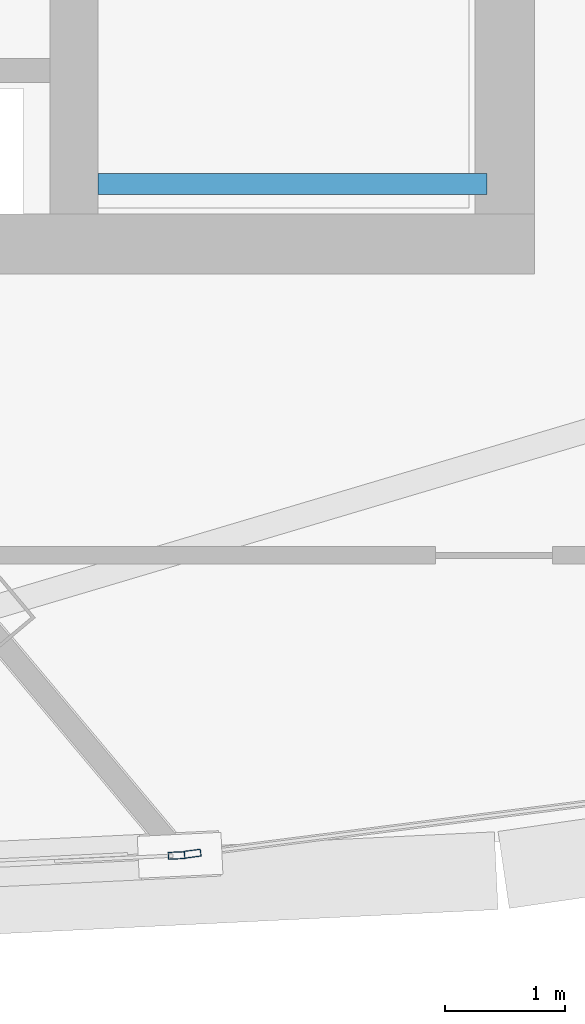
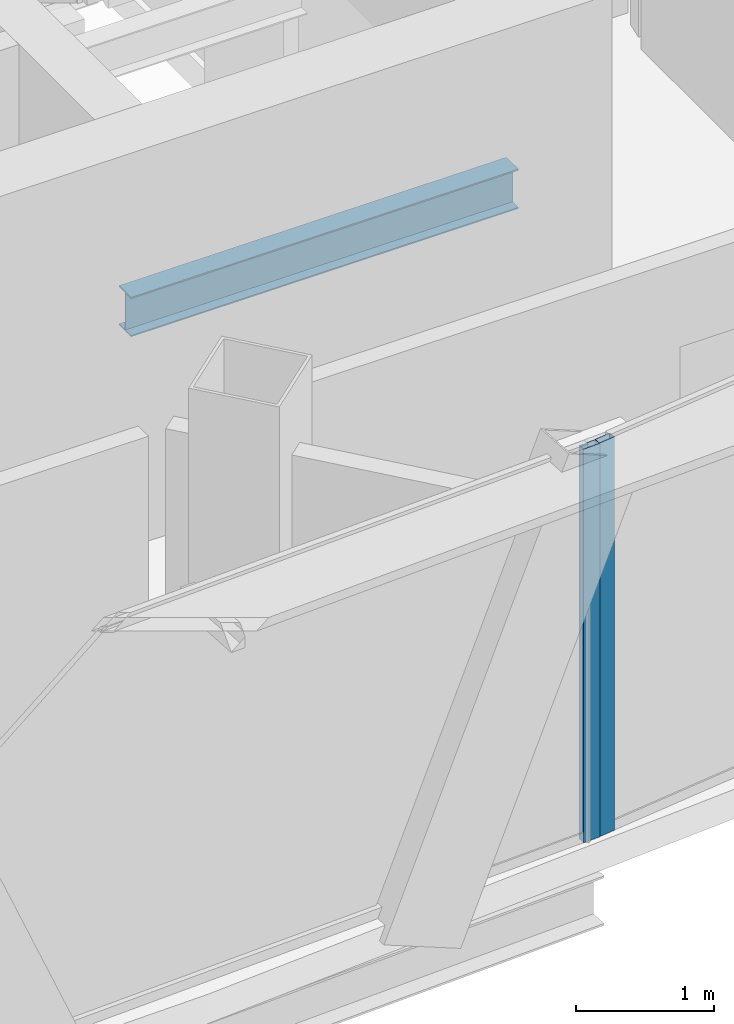
# One storey, part 11 of 30: 2 members, 1 beam, 2 elements without a shape of their own.
"""IFC4 building model written with IfcOpenShell, lengths in metres."""

from ifc_helpers import new_model, si_unit, direction, frame, origin, origin_2d, place, context, subcontext, project, spatial, hollow_rectangle, i_section, extrude, source, transform, mapped, material, layer, layer_set, material_profile, profile_set, type_object, element, aggregate, save


model = new_model("IFC4")

# Units and contexts
model_context = context("Model", 3, precision=1e-05, world=origin(), true_north=direction((0.0, 1.0)))
body_context = subcontext(model_context, "Body", "Model", "MODEL_VIEW")
ifc_project = project(units=[si_unit("LENGTHUNIT", "METRE"), si_unit("AREAUNIT", "SQUARE_METRE"), si_unit("VOLUMEUNIT", "CUBIC_METRE"), si_unit("PLANEANGLEUNIT", "RADIAN"), si_unit("MASSUNIT", "GRAM", prefix="KILO"), si_unit("THERMODYNAMICTEMPERATUREUNIT", "KELVIN"), si_unit("POWERUNIT", "WATT")], contexts=[model_context])

# Site, building, storey
site_placement = place(None, origin())
site = spatial("IfcSite", under=ifc_project, at=site_placement, CompositionType="ELEMENT")
building_placement = place(site_placement, origin())
building = spatial("IfcBuilding", under=site, at=building_placement, Name="Yunzhuo Pagoda Commons", CompositionType="ELEMENT")
storey_placement = place(building_placement, frame((0.0, 0.0, 348.010009765625)))
storey = spatial("IfcBuildingStorey", under=building, at=storey_placement, Name="L87", CompositionType="ELEMENT", Elevation=348.010009765625)

# Beam
ifc_material_1 = material(Name="Structural steel Q355B", Category="steel")
ifc_material_profile_1 = material_profile(ifc_material_1, i_section(OverallWidth=0.175048828125, OverallDepth=0.35009765625, WebThickness=0.007080078125, FlangeThickness=0.010986328125, at=origin_2d()), Name="Structural steel Q355B")
ifc_profile_set_1 = profile_set([ifc_material_profile_1], Name="Structural steel Q355B")
beam_type = type_object("IfcBeamType", Name="B-JS2 Joist HN 350x175x7x11", PredefinedType="JOIST", material=ifc_profile_set_1)
shared_shape_1 = source(origin(), body_context, "Body", "SweptSolid", [
    extrude(i_section(OverallWidth=0.175048828125, OverallDepth=0.35009765625, WebThickness=0.007080078125, FlangeThickness=0.010986328125, at=origin_2d()), origin(), (0.0, 0.0, 1.0), 3.25),
])
beam_placement = place(storey_placement, frame((56.800048828125, 28.0, 1.5), z_axis=(1.0, 0.0, 0.0), x_axis=(0.0, 1.0, 0.0)))
element("IfcBeam", 1, at=beam_placement, inside=storey, type_object=beam_type, Name="L87 ST2 landing support beam 93A", PredefinedType="JOIST", context=body_context, shape_type="MappedRepresentation", body=[
    mapped(shared_shape_1, transform((0.0, 0.0, 0.0), scale=1.0)),
])

# Curtain wall, member
ifc_material_2 = material(Name="Anodized aluminium 6063-T6", Category="aluminium")
ifc_layer = layer(ifc_material_2, 0.139892578125)
ifc_layer_set = layer_set([ifc_layer], Name="Anodized aluminium 6063-T6")
curtain_wall_type = type_object("IfcCurtainWallType", Name="CW-HI High-Zone Ribbon Curtain Wall", PredefinedType="NOTDEFINED", material=ifc_layer_set)
curtain_wall_1_placement = place(storey_placement, origin())
curtain_wall_1 = element("IfcCurtainWall", 2, at=curtain_wall_1_placement, inside=storey, type_object=curtain_wall_type, Name="L87 curtain wall CW-L87-F1B4", PredefinedType="NOTDEFINED")
ifc_material_profile_2 = material_profile(ifc_material_2, hollow_rectangle(XDim=0.06005859375, YDim=0.139892578125, WallThickness=0.00341796875, at=origin_2d()), Name="Anodized aluminium 6063-T6")
ifc_profile_set_2 = profile_set([ifc_material_profile_2], Name="Anodized aluminium 6063-T6")
member_type = type_object("IfcMemberType", Name="CW-HI-M Mullion RHS 140x60x3.5", PredefinedType="MULLION", material=ifc_profile_set_2)
shared_shape_2 = source(origin(), body_context, "Body", "SweptSolid", [
    extrude(hollow_rectangle(XDim=0.06005859375, YDim=0.139892578125, WallThickness=0.00341796875, at=origin_2d()), origin(), (0.0, 0.0, 1.0), 3.489990234375),
])
member_1_placement = place(storey_placement, frame((57.457763671875, 22.391845703125, 0.0), z_axis=(0.0, 0.0, 1.0), x_axis=(-0.047859147719, 0.99885409444, 0.0)))
member_1 = element("IfcMember", 3, at=member_1_placement, type_object=member_type, Name="CW mullion 2", PredefinedType="MULLION", context=body_context, shape_type="MappedRepresentation", body=[
    mapped(shared_shape_2, transform((0.0, 0.0, 0.0), scale=1.0)),
])
aggregate(curtain_wall_1, [member_1])

curtain_wall_2_placement = place(storey_placement, origin())
curtain_wall_2 = element("IfcCurtainWall", 4, at=curtain_wall_2_placement, inside=storey, type_object=curtain_wall_type, Name="L87 curtain wall CW-L87-F1B5", PredefinedType="NOTDEFINED")
member_2_placement = place(storey_placement, frame((57.591552734375, 22.406494140625, 0.0), z_axis=(0.0, 0.0, 1.0), x_axis=(-0.126570661327, 0.991957593696, 0.0)))
member_2 = element("IfcMember", 5, at=member_2_placement, type_object=member_type, Name="CW mullion 1", PredefinedType="MULLION", context=body_context, shape_type="MappedRepresentation", body=[
    mapped(shared_shape_2, transform((0.0, 0.0, 0.0), scale=1.0)),
])
aggregate(curtain_wall_2, [member_2])

save(model, "model.ifc")
